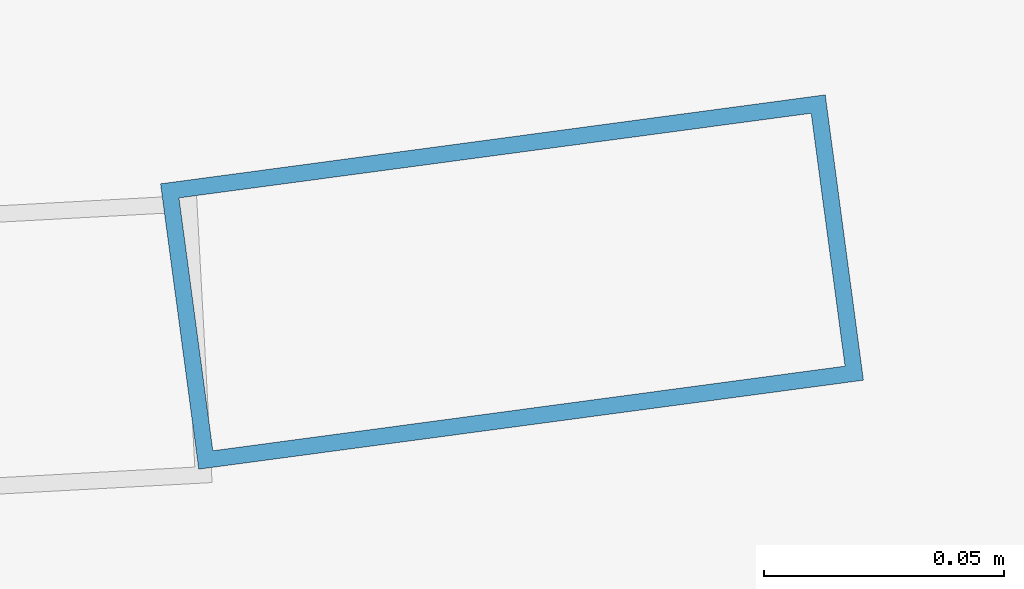
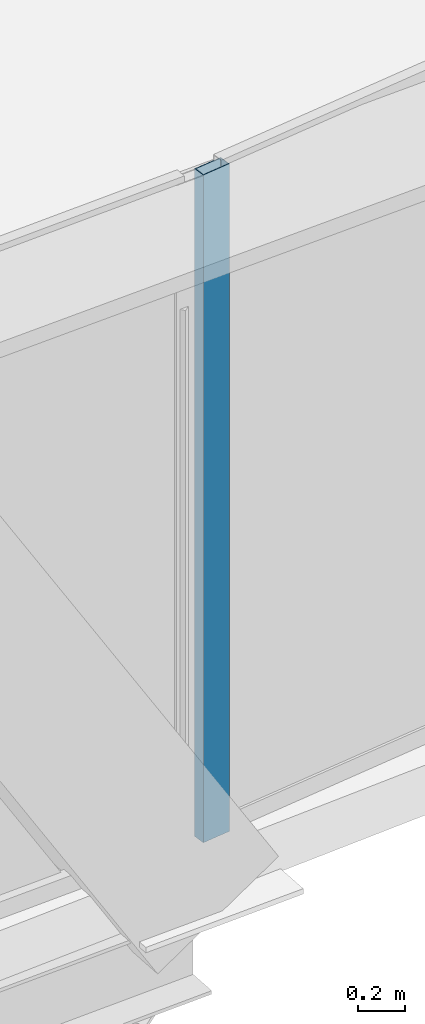
# One storey, part 14 of 37: 1 member, 1 element without a shape of its own.
"""IFC4 building model written with IfcOpenShell, lengths in metres."""

from ifc_helpers import new_model, si_unit, direction, frame, origin, origin_2d, place, context, subcontext, project, spatial, hollow_rectangle, extrude, source, transform, mapped, material, layer, layer_set, material_profile, profile_set, type_object, element, aggregate, save


model = new_model("IFC4")

# Units and contexts
model_context = context("Model", 3, precision=1e-05, world=origin(), true_north=direction((0.0, 1.0)))
body_context = subcontext(model_context, "Body", "Model", "MODEL_VIEW")
ifc_project = project(units=[si_unit("LENGTHUNIT", "METRE"), si_unit("AREAUNIT", "SQUARE_METRE"), si_unit("VOLUMEUNIT", "CUBIC_METRE"), si_unit("PLANEANGLEUNIT", "RADIAN"), si_unit("MASSUNIT", "GRAM", prefix="KILO"), si_unit("THERMODYNAMICTEMPERATUREUNIT", "KELVIN"), si_unit("POWERUNIT", "WATT")], contexts=[model_context])

# Site, building, storey
site_placement = place(None, origin())
site = spatial("IfcSite", under=ifc_project, at=site_placement, CompositionType="ELEMENT")
building_placement = place(site_placement, origin())
building = spatial("IfcBuilding", under=site, at=building_placement, Name="Yunzhuo Pagoda Commons", CompositionType="ELEMENT")
storey_placement = place(building_placement, frame((0.0, 0.0, 255.719970703125)))
storey = spatial("IfcBuildingStorey", under=building, at=storey_placement, Name="L64", CompositionType="ELEMENT", Elevation=255.719970703125)

# Curtain wall, member
ifc_material = material(Name="Anodized aluminium 6063-T6", Category="aluminium")
ifc_layer = layer(ifc_material, 0.139892578125)
ifc_layer_set = layer_set([ifc_layer], Name="Anodized aluminium 6063-T6")
curtain_wall_type = type_object("IfcCurtainWallType", Name="CW-HI High-Zone Ribbon Curtain Wall", PredefinedType="NOTDEFINED", material=ifc_layer_set)
curtain_wall_placement = place(storey_placement, origin())
curtain_wall = element("IfcCurtainWall", 1, at=curtain_wall_placement, inside=storey, type_object=curtain_wall_type, Name="L64 curtain wall CW-L64-F1B5", PredefinedType="NOTDEFINED")
ifc_material_profile = material_profile(ifc_material, hollow_rectangle(XDim=0.06005859375, YDim=0.139892578125, WallThickness=0.00341796875, at=origin_2d()), Name="Anodized aluminium 6063-T6")
ifc_profile_set = profile_set([ifc_material_profile], Name="Anodized aluminium 6063-T6")
member_type = type_object("IfcMemberType", Name="CW-HI-M Mullion RHS 140x60x3.5", PredefinedType="MULLION", material=ifc_profile_set)
shared_shape = source(origin(), body_context, "Body", "SweptSolid", [
    extrude(hollow_rectangle(XDim=0.06005859375, YDim=0.139892578125, WallThickness=0.00341796875, at=origin_2d()), origin(), (0.0, 0.0, 1.0), 3.469970703125),
])
member_placement = place(storey_placement, frame((61.699462890625, 17.511474609375, 0.0), z_axis=(0.0, 0.0, 1.0), x_axis=(-0.132663916926, 0.991161079314, 0.0)))
member = element("IfcMember", 2, at=member_placement, type_object=member_type, Name="CW mullion 1", PredefinedType="MULLION", context=body_context, shape_type="MappedRepresentation", body=[
    mapped(shared_shape, transform((0.0, 0.0, 0.0), scale=1.0)),
])
aggregate(curtain_wall, [member])

save(model, "model.ifc")
